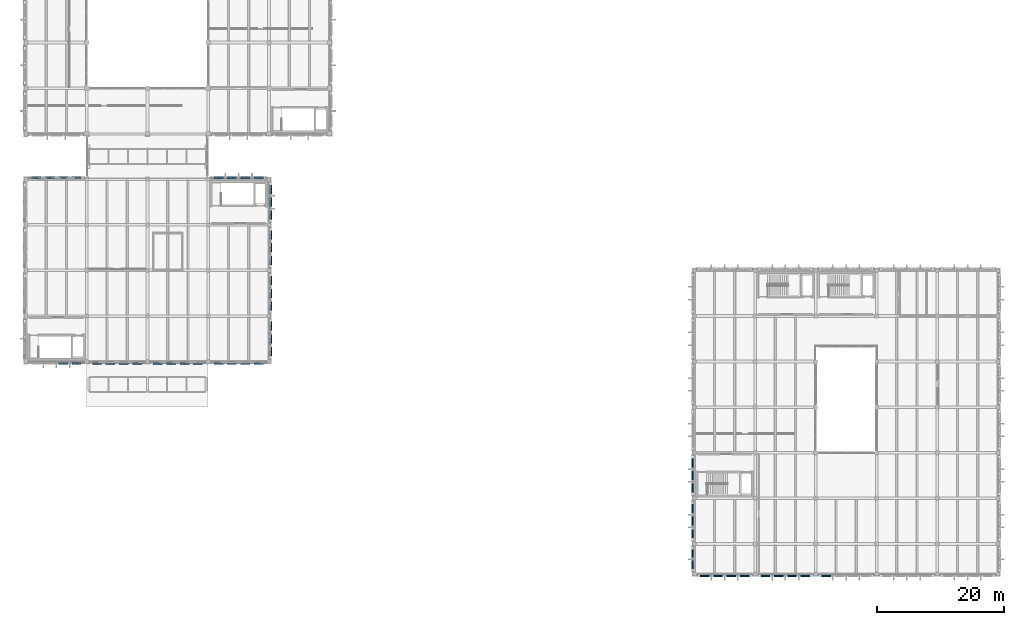
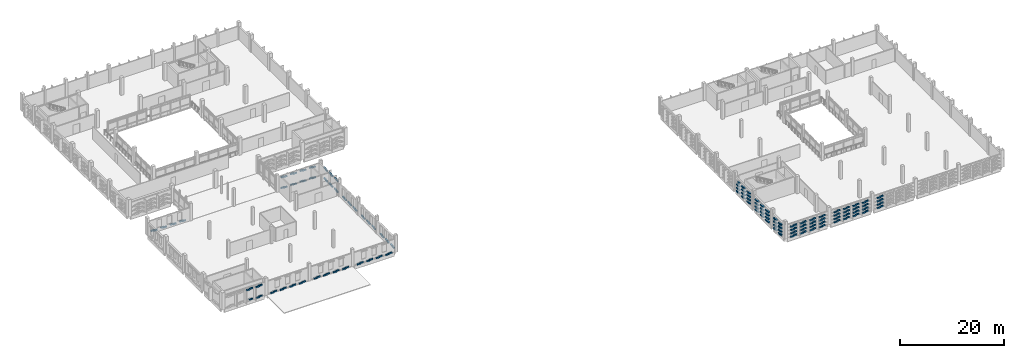
# One storey, part 48 of 72: 220 plates.
"""IFC4 building model written with IfcOpenShell, lengths in metres."""

from ifc_helpers import new_model, si_unit, direction, frame, origin, origin_2d, place, context, subcontext, project, spatial, rectangle, extrude, material, layer, layer_set, type_object, element, save


model = new_model("IFC4")

# Units and contexts
model_context = context("Model", 3, precision=1e-05, world=origin(), true_north=direction((0.0, 1.0)))
body_context = subcontext(model_context, "Body", "Model", "MODEL_VIEW")
ifc_project = project(units=[si_unit("LENGTHUNIT", "METRE"), si_unit("AREAUNIT", "SQUARE_METRE"), si_unit("VOLUMEUNIT", "CUBIC_METRE"), si_unit("PLANEANGLEUNIT", "RADIAN"), si_unit("MASSUNIT", "GRAM", prefix="KILO")], contexts=[model_context])

# Site, building, storey
site_placement = place(None, origin())
site = spatial("IfcSite", under=ifc_project, at=site_placement, CompositionType="ELEMENT")
building_placement = place(site_placement, origin())
building = spatial("IfcBuilding", under=site, at=building_placement, Name="Asteropetra Specialist Clinic", CompositionType="ELEMENT")
storey_placement = place(building_placement, frame((0.0, 0.0, 12.580078125)))
storey = spatial("IfcBuildingStorey", under=building, at=storey_placement, Name="L03", CompositionType="ELEMENT", Elevation=12.580078125)

# Plates
ifc_material = material(Name="Aluminium 6063-T6", Category="aluminium")
ifc_layer = layer(ifc_material, 0.139892578125)
ifc_layer_set = layer_set([ifc_layer], Name="Aluminium 6063-T6")
plate_type = type_object("IfcPlateType", Name="PLT-CHV-TILE", PredefinedType="SHEET", material=ifc_layer_set)
for number, where, z_axis, x_axis, name in (
    (1, (6.156494140625, 33.327392578125, 0.15576171875), (0.0, 0.0, 1.0), (1.0, 0.0, 0.0), "Chevron Ceramic Panel CPT-1574"),
    (2, (5.5771484375, 33.327392578125, 2.5498046875), (0.0, 0.0, 1.0), (1.0, 0.0, 0.0), "Chevron Ceramic Panel CPT-1575"),
    (3, (6.156494140625, 33.327392578125, 2.67578125), (0.0, 0.0, 1.0), (1.0, 0.0, 0.0), "Chevron Ceramic Panel CPT-1576"),
    (4, (7.68603515625, 33.327392578125, 0.02978515625), (0.0, 0.0, 1.0), (1.0, 0.0, 0.0), "Chevron Ceramic Panel CPT-1577"),
    (5, (8.26513671875, 33.327392578125, 0.15576171875), (0.0, 0.0, 1.0), (1.0, 0.0, 0.0), "Chevron Ceramic Panel CPT-1578"),
    (6, (7.68603515625, 33.327392578125, 2.5498046875), (0.0, 0.0, 1.0), (1.0, 0.0, 0.0), "Chevron Ceramic Panel CPT-1579"),
    (7, (8.26513671875, 33.327392578125, 2.67578125), (0.0, 0.0, 1.0), (1.0, 0.0, 0.0), "Chevron Ceramic Panel CPT-1580"),
):
    element("IfcPlate", number, at=place(storey_placement, frame(where, z_axis=z_axis, x_axis=x_axis)), inside=storey, type_object=plate_type, Name=name, PredefinedType="SHEET", context=body_context, shape_type="SweptSolid", body=[
        extrude(rectangle(XDim=0.827880859375, YDim=0.280029296875, at=origin_2d()), origin(), (0.0, 0.0, 1.0), 0.300048828125),
    ])
for number, where, z_axis, x_axis, name in (
    (8, (8.26513671875, 62.672607421875, 0.02978515625), (0.0, 0.0, 1.0), (1.0, 0.0, 0.0), "Chevron Ceramic Panel CPT-1581"),
    (9, (7.68603515625, 62.672607421875, 0.15576171875), (0.0, 0.0, 1.0), (1.0, 0.0, 0.0), "Chevron Ceramic Panel CPT-1582"),
):
    element("IfcPlate", number, at=place(storey_placement, frame(where, z_axis=z_axis, x_axis=x_axis)), inside=storey, type_object=plate_type, Name=name, PredefinedType="SHEET", context=body_context, shape_type="SweptSolid", body=[
        extrude(rectangle(XDim=0.826904296875, YDim=0.280029296875, at=origin_2d()), origin(), (0.0, 0.0, 1.0), 0.300048828125),
    ])
for number, where, z_axis, x_axis, name in (
    (10, (6.156494140625, 62.672607421875, 0.02978515625), (0.0, 0.0, 1.0), (1.0, 0.0, 0.0), "Chevron Ceramic Panel CPT-1583"),
    (11, (5.577392578125, 62.672607421875, 0.15576171875), (0.0, 0.0, 1.0), (1.0, 0.0, 0.0), "Chevron Ceramic Panel CPT-1584"),
    (12, (4.0478515625, 62.672607421875, 0.02978515625), (0.0, 0.0, 1.0), (1.0, 0.0, 0.0), "Chevron Ceramic Panel CPT-1585"),
    (13, (3.468505859375, 62.672607421875, 0.15576171875), (0.0, 0.0, 1.0), (1.0, 0.0, 0.0), "Chevron Ceramic Panel CPT-1586"),
    (14, (1.93896484375, 62.672607421875, 0.02978515625), (0.0, 0.0, 1.0), (1.0, 0.0, 0.0), "Chevron Ceramic Panel CPT-1587"),
    (15, (1.35986328125, 62.672607421875, 0.15576171875), (0.0, 0.0, 1.0), (1.0, 0.0, 0.0), "Chevron Ceramic Panel CPT-1588"),
):
    element("IfcPlate", number, at=place(storey_placement, frame(where, z_axis=z_axis, x_axis=x_axis)), inside=storey, type_object=plate_type, Name=name, PredefinedType="SHEET", context=body_context, shape_type="SweptSolid", body=[
        extrude(rectangle(XDim=0.827880859375, YDim=0.280029296875, at=origin_2d()), origin(), (0.0, 0.0, 1.0), 0.300048828125),
    ])
for number, where, z_axis, x_axis, name in (
    (16, (10.93701171875, 33.327392578125, 0.02978515625), (0.0, 0.0, 1.0), (1.0, 0.0, 0.0), "Chevron Ceramic Panel CPT-1589"),
    (17, (11.51806640625, 33.327392578125, 0.15673828125), (0.0, 0.0, 1.0), (1.0, 0.0, 0.0), "Chevron Ceramic Panel CPT-1590"),
    (18, (13.052001953125, 33.327392578125, 0.02978515625), (0.0, 0.0, 1.0), (1.0, 0.0, 0.0), "Chevron Ceramic Panel CPT-1591"),
    (19, (13.633056640625, 33.327392578125, 0.15673828125), (0.0, 0.0, 1.0), (1.0, 0.0, 0.0), "Chevron Ceramic Panel CPT-1592"),
    (20, (15.1669921875, 33.327392578125, 0.02978515625), (0.0, 0.0, 1.0), (1.0, 0.0, 0.0), "Chevron Ceramic Panel CPT-1593"),
    (21, (15.748046875, 33.327392578125, 0.15673828125), (0.0, 0.0, 1.0), (1.0, 0.0, 0.0), "Chevron Ceramic Panel CPT-1594"),
    (22, (17.281982421875, 33.327392578125, 0.02978515625), (0.0, 0.0, 1.0), (1.0, 0.0, 0.0), "Chevron Ceramic Panel CPT-1595"),
    (23, (17.863037109375, 33.327392578125, 0.15673828125), (0.0, 0.0, 1.0), (1.0, 0.0, 0.0), "Chevron Ceramic Panel CPT-1596"),
    (24, (20.537109375, 33.327392578125, 0.02978515625), (0.0, 0.0, 1.0), (1.0, 0.0, 0.0), "Chevron Ceramic Panel CPT-1597"),
    (25, (21.117919921875, 33.327392578125, 0.15673828125), (0.0, 0.0, 1.0), (1.0, 0.0, 0.0), "Chevron Ceramic Panel CPT-1598"),
    (26, (22.652099609375, 33.327392578125, 0.02978515625), (0.0, 0.0, 1.0), (1.0, 0.0, 0.0), "Chevron Ceramic Panel CPT-1599"),
    (27, (23.23291015625, 33.327392578125, 0.15673828125), (0.0, 0.0, 1.0), (1.0, 0.0, 0.0), "Chevron Ceramic Panel CPT-1600"),
    (28, (24.76708984375, 33.327392578125, 0.02978515625), (0.0, 0.0, 1.0), (1.0, 0.0, 0.0), "Chevron Ceramic Panel CPT-1601"),
    (29, (25.347900390625, 33.327392578125, 0.15673828125), (0.0, 0.0, 1.0), (1.0, 0.0, 0.0), "Chevron Ceramic Panel CPT-1602"),
    (30, (26.882080078125, 33.327392578125, 0.02978515625), (0.0, 0.0, 1.0), (1.0, 0.0, 0.0), "Chevron Ceramic Panel CPT-1603"),
    (31, (27.462890625, 33.327392578125, 0.15673828125), (0.0, 0.0, 1.0), (1.0, 0.0, 0.0), "Chevron Ceramic Panel CPT-1604"),
    (32, (30.136962890625, 33.327392578125, 0.02978515625), (0.0, 0.0, 1.0), (1.0, 0.0, 0.0), "Chevron Ceramic Panel CPT-1605"),
    (33, (30.718017578125, 33.327392578125, 0.15673828125), (0.0, 0.0, 1.0), (1.0, 0.0, 0.0), "Chevron Ceramic Panel CPT-1606"),
    (34, (32.251953125, 33.327392578125, 0.02978515625), (0.0, 0.0, 1.0), (1.0, 0.0, 0.0), "Chevron Ceramic Panel CPT-1607"),
    (35, (32.8330078125, 33.327392578125, 0.15673828125), (0.0, 0.0, 1.0), (1.0, 0.0, 0.0), "Chevron Ceramic Panel CPT-1608"),
    (36, (34.366943359375, 33.327392578125, 0.02978515625), (0.0, 0.0, 1.0), (1.0, 0.0, 0.0), "Chevron Ceramic Panel CPT-1609"),
    (37, (34.947998046875, 33.327392578125, 0.15673828125), (0.0, 0.0, 1.0), (1.0, 0.0, 0.0), "Chevron Ceramic Panel CPT-1610"),
    (38, (36.48193359375, 33.327392578125, 0.02978515625), (0.0, 0.0, 1.0), (1.0, 0.0, 0.0), "Chevron Ceramic Panel CPT-1611"),
    (39, (37.06298828125, 33.327392578125, 0.15673828125), (0.0, 0.0, 1.0), (1.0, 0.0, 0.0), "Chevron Ceramic Panel CPT-1612"),
    (40, (37.06298828125, 62.672607421875, 0.02978515625), (0.0, 0.0, 1.0), (1.0, 0.0, 0.0), "Chevron Ceramic Panel CPT-1613"),
    (41, (36.48193359375, 62.672607421875, 0.15673828125), (0.0, 0.0, 1.0), (1.0, 0.0, 0.0), "Chevron Ceramic Panel CPT-1614"),
    (42, (37.06298828125, 62.672607421875, 2.5498046875), (0.0, 0.0, 1.0), (1.0, 0.0, 0.0), "Chevron Ceramic Panel CPT-1615"),
    (43, (36.48193359375, 62.672607421875, 2.6767578125), (0.0, 0.0, 1.0), (1.0, 0.0, 0.0), "Chevron Ceramic Panel CPT-1616"),
    (44, (34.947998046875, 62.672607421875, 0.02978515625), (0.0, 0.0, 1.0), (1.0, 0.0, 0.0), "Chevron Ceramic Panel CPT-1617"),
    (45, (34.366943359375, 62.672607421875, 0.15673828125), (0.0, 0.0, 1.0), (1.0, 0.0, 0.0), "Chevron Ceramic Panel CPT-1618"),
    (46, (34.947998046875, 62.672607421875, 2.5498046875), (0.0, 0.0, 1.0), (1.0, 0.0, 0.0), "Chevron Ceramic Panel CPT-1619"),
    (47, (34.366943359375, 62.672607421875, 2.6767578125), (0.0, 0.0, 1.0), (1.0, 0.0, 0.0), "Chevron Ceramic Panel CPT-1620"),
    (48, (32.8330078125, 62.672607421875, 0.02978515625), (0.0, 0.0, 1.0), (1.0, 0.0, 0.0), "Chevron Ceramic Panel CPT-1621"),
    (49, (32.251953125, 62.672607421875, 0.15673828125), (0.0, 0.0, 1.0), (1.0, 0.0, 0.0), "Chevron Ceramic Panel CPT-1622"),
    (50, (32.8330078125, 62.672607421875, 2.5498046875), (0.0, 0.0, 1.0), (1.0, 0.0, 0.0), "Chevron Ceramic Panel CPT-1623"),
    (51, (32.251953125, 62.672607421875, 2.6767578125), (0.0, 0.0, 1.0), (1.0, 0.0, 0.0), "Chevron Ceramic Panel CPT-1624"),
    (52, (30.718017578125, 62.672607421875, 0.02978515625), (0.0, 0.0, 1.0), (1.0, 0.0, 0.0), "Chevron Ceramic Panel CPT-1625"),
    (53, (30.136962890625, 62.672607421875, 0.15673828125), (0.0, 0.0, 1.0), (1.0, 0.0, 0.0), "Chevron Ceramic Panel CPT-1626"),
    (54, (30.718017578125, 62.672607421875, 2.5498046875), (0.0, 0.0, 1.0), (1.0, 0.0, 0.0), "Chevron Ceramic Panel CPT-1627"),
    (55, (30.136962890625, 62.672607421875, 2.6767578125), (0.0, 0.0, 1.0), (1.0, 0.0, 0.0), "Chevron Ceramic Panel CPT-1628"),
):
    element("IfcPlate", number, at=place(storey_placement, frame(where, z_axis=z_axis, x_axis=x_axis)), inside=storey, type_object=plate_type, Name=name, PredefinedType="SHEET", context=body_context, shape_type="SweptSolid", body=[
        extrude(rectangle(XDim=0.830078125, YDim=0.280029296875, at=origin_2d()), origin(), (0.0, 0.0, 1.0), 0.300048828125),
    ])
for number, where, z_axis, x_axis, name in (
    (56, (38.672607421875, 34.90283203125, 0.025390625), (0.0, 0.0, 1.0), (1.0, 0.0, 0.0), "Chevron Ceramic Panel CPT-1637"),
    (57, (38.672607421875, 35.457275390625, 0.146484375), (0.0, 0.0, 1.0), (1.0, 0.0, 0.0), "Chevron Ceramic Panel CPT-1638"),
    (58, (38.672607421875, 36.9228515625, 0.025390625), (0.0, 0.0, 1.0), (1.0, 0.0, 0.0), "Chevron Ceramic Panel CPT-1639"),
    (59, (38.672607421875, 37.477294921875, 0.146484375), (0.0, 0.0, 1.0), (1.0, 0.0, 0.0), "Chevron Ceramic Panel CPT-1640"),
    (60, (38.672607421875, 38.94287109375, 0.025390625), (0.0, 0.0, 1.0), (1.0, 0.0, 0.0), "Chevron Ceramic Panel CPT-1641"),
    (61, (38.672607421875, 39.497314453125, 0.146484375), (0.0, 0.0, 1.0), (1.0, 0.0, 0.0), "Chevron Ceramic Panel CPT-1642"),
    (62, (38.672607421875, 42.102783203125, 0.025390625), (0.0, 0.0, 1.0), (1.0, 0.0, 0.0), "Chevron Ceramic Panel CPT-1647"),
    (63, (38.672607421875, 42.6572265625, 0.146484375), (0.0, 0.0, 1.0), (1.0, 0.0, 0.0), "Chevron Ceramic Panel CPT-1648"),
    (64, (38.672607421875, 44.122802734375, 0.025390625), (0.0, 0.0, 1.0), (1.0, 0.0, 0.0), "Chevron Ceramic Panel CPT-1649"),
    (65, (38.672607421875, 44.67724609375, 0.146484375), (0.0, 0.0, 1.0), (1.0, 0.0, 0.0), "Chevron Ceramic Panel CPT-1650"),
    (66, (38.672607421875, 46.142822265625, 0.025390625), (0.0, 0.0, 1.0), (1.0, 0.0, 0.0), "Chevron Ceramic Panel CPT-1651"),
    (67, (38.672607421875, 46.697265625, 0.146484375), (0.0, 0.0, 1.0), (1.0, 0.0, 0.0), "Chevron Ceramic Panel CPT-1652"),
    (68, (38.672607421875, 49.302734375, 0.025390625), (0.0, 0.0, 1.0), (1.0, 0.0, 0.0), "Chevron Ceramic Panel CPT-1657"),
    (69, (38.672607421875, 49.857177734375, 0.146484375), (0.0, 0.0, 1.0), (1.0, 0.0, 0.0), "Chevron Ceramic Panel CPT-1658"),
    (70, (38.672607421875, 51.32275390625, 0.025390625), (0.0, 0.0, 1.0), (1.0, 0.0, 0.0), "Chevron Ceramic Panel CPT-1659"),
    (71, (38.672607421875, 51.877197265625, 0.146484375), (0.0, 0.0, 1.0), (1.0, 0.0, 0.0), "Chevron Ceramic Panel CPT-1660"),
    (72, (38.672607421875, 53.3427734375, 0.025390625), (0.0, 0.0, 1.0), (1.0, 0.0, 0.0), "Chevron Ceramic Panel CPT-1661"),
    (73, (38.672607421875, 53.897216796875, 0.146484375), (0.0, 0.0, 1.0), (1.0, 0.0, 0.0), "Chevron Ceramic Panel CPT-1662"),
    (74, (38.672607421875, 56.502685546875, 0.025390625), (0.0, 0.0, 1.0), (1.0, 0.0, 0.0), "Chevron Ceramic Panel CPT-1667"),
    (75, (38.672607421875, 57.05712890625, 0.146484375), (0.0, 0.0, 1.0), (1.0, 0.0, 0.0), "Chevron Ceramic Panel CPT-1668"),
    (76, (38.672607421875, 56.502685546875, 2.54541015625), (0.0, 0.0, 1.0), (1.0, 0.0, 0.0), "Chevron Ceramic Panel CPT-1669"),
    (77, (38.672607421875, 57.05712890625, 2.66650390625), (0.0, 0.0, 1.0), (1.0, 0.0, 0.0), "Chevron Ceramic Panel CPT-1670"),
    (78, (38.672607421875, 58.522705078125, 0.025390625), (0.0, 0.0, 1.0), (1.0, 0.0, 0.0), "Chevron Ceramic Panel CPT-1671"),
    (79, (38.672607421875, 59.0771484375, 0.146484375), (0.0, 0.0, 1.0), (1.0, 0.0, 0.0), "Chevron Ceramic Panel CPT-1672"),
    (80, (38.672607421875, 58.522705078125, 2.54541015625), (0.0, 0.0, 1.0), (1.0, 0.0, 0.0), "Chevron Ceramic Panel CPT-1673"),
    (81, (38.672607421875, 59.0771484375, 2.66650390625), (0.0, 0.0, 1.0), (1.0, 0.0, 0.0), "Chevron Ceramic Panel CPT-1674"),
    (82, (38.672607421875, 60.542724609375, 0.025390625), (0.0, 0.0, 1.0), (1.0, 0.0, 0.0), "Chevron Ceramic Panel CPT-1675"),
    (83, (38.672607421875, 61.09716796875, 0.146484375), (0.0, 0.0, 1.0), (1.0, 0.0, 0.0), "Chevron Ceramic Panel CPT-1676"),
    (84, (38.672607421875, 60.542724609375, 2.54541015625), (0.0, 0.0, 1.0), (1.0, 0.0, 0.0), "Chevron Ceramic Panel CPT-1677"),
    (85, (38.672607421875, 61.09716796875, 2.66650390625), (0.0, 0.0, 1.0), (1.0, 0.0, 0.0), "Chevron Ceramic Panel CPT-1678"),
):
    element("IfcPlate", number, at=place(storey_placement, frame(where, z_axis=z_axis, x_axis=x_axis)), inside=storey, type_object=plate_type, Name=name, PredefinedType="SHEET", context=body_context, shape_type="SweptSolid", body=[
        extrude(rectangle(XDim=0.280029296875, YDim=0.7919921875, at=origin_2d()), origin(), (0.0, 0.0, 1.0), 0.300048828125),
    ])
for number, where, z_axis, x_axis, name in (
    (86, (106.95751953125, -0.277587890625, -0.00048828125), (0.0, 0.0, 1.0), (1.0, 0.0, 0.0), "Chevron Ceramic Panel CPT-1679"),
    (87, (107.534912109375, -0.277587890625, 0.12548828125), (0.0, 0.0, 1.0), (1.0, 0.0, 0.0), "Chevron Ceramic Panel CPT-1680"),
    (88, (106.95751953125, -0.277587890625, 0.76953125), (0.0, 0.0, 1.0), (1.0, 0.0, 0.0), "Chevron Ceramic Panel CPT-1681"),
    (89, (107.534912109375, -0.277587890625, 0.8955078125), (0.0, 0.0, 1.0), (1.0, 0.0, 0.0), "Chevron Ceramic Panel CPT-1682"),
    (90, (106.95751953125, -0.277587890625, 1.5693359375), (0.0, 0.0, 1.0), (1.0, 0.0, 0.0), "Chevron Ceramic Panel CPT-1683"),
    (91, (107.534912109375, -0.277587890625, 1.6953125), (0.0, 0.0, 1.0), (1.0, 0.0, 0.0), "Chevron Ceramic Panel CPT-1684"),
    (92, (106.95751953125, -0.277587890625, 2.349609375), (0.0, 0.0, 1.0), (1.0, 0.0, 0.0), "Chevron Ceramic Panel CPT-1685"),
    (93, (107.534912109375, -0.277587890625, 2.47509765625), (0.0, 0.0, 1.0), (1.0, 0.0, 0.0), "Chevron Ceramic Panel CPT-1686"),
    (94, (109.06005859375, -0.277587890625, -0.00048828125), (0.0, 0.0, 1.0), (1.0, 0.0, 0.0), "Chevron Ceramic Panel CPT-1687"),
    (95, (109.637451171875, -0.277587890625, 0.12548828125), (0.0, 0.0, 1.0), (1.0, 0.0, 0.0), "Chevron Ceramic Panel CPT-1688"),
    (96, (109.06005859375, -0.277587890625, 0.76953125), (0.0, 0.0, 1.0), (1.0, 0.0, 0.0), "Chevron Ceramic Panel CPT-1689"),
    (97, (109.637451171875, -0.277587890625, 0.8955078125), (0.0, 0.0, 1.0), (1.0, 0.0, 0.0), "Chevron Ceramic Panel CPT-1690"),
    (98, (109.06005859375, -0.277587890625, 1.5693359375), (0.0, 0.0, 1.0), (1.0, 0.0, 0.0), "Chevron Ceramic Panel CPT-1691"),
    (99, (109.637451171875, -0.277587890625, 1.6953125), (0.0, 0.0, 1.0), (1.0, 0.0, 0.0), "Chevron Ceramic Panel CPT-1692"),
    (100, (109.06005859375, -0.277587890625, 2.349609375), (0.0, 0.0, 1.0), (1.0, 0.0, 0.0), "Chevron Ceramic Panel CPT-1693"),
    (101, (109.637451171875, -0.277587890625, 2.47509765625), (0.0, 0.0, 1.0), (1.0, 0.0, 0.0), "Chevron Ceramic Panel CPT-1694"),
    (102, (111.16259765625, -0.277587890625, -0.00048828125), (0.0, 0.0, 1.0), (1.0, 0.0, 0.0), "Chevron Ceramic Panel CPT-1695"),
    (103, (111.739990234375, -0.277587890625, 0.12548828125), (0.0, 0.0, 1.0), (1.0, 0.0, 0.0), "Chevron Ceramic Panel CPT-1696"),
    (104, (111.16259765625, -0.277587890625, 0.76953125), (0.0, 0.0, 1.0), (1.0, 0.0, 0.0), "Chevron Ceramic Panel CPT-1697"),
    (105, (111.739990234375, -0.277587890625, 0.8955078125), (0.0, 0.0, 1.0), (1.0, 0.0, 0.0), "Chevron Ceramic Panel CPT-1698"),
    (106, (111.16259765625, -0.277587890625, 1.5693359375), (0.0, 0.0, 1.0), (1.0, 0.0, 0.0), "Chevron Ceramic Panel CPT-1699"),
    (107, (111.739990234375, -0.277587890625, 1.6953125), (0.0, 0.0, 1.0), (1.0, 0.0, 0.0), "Chevron Ceramic Panel CPT-1700"),
    (108, (111.16259765625, -0.277587890625, 2.349609375), (0.0, 0.0, 1.0), (1.0, 0.0, 0.0), "Chevron Ceramic Panel CPT-1701"),
    (109, (111.739990234375, -0.277587890625, 2.47509765625), (0.0, 0.0, 1.0), (1.0, 0.0, 0.0), "Chevron Ceramic Panel CPT-1702"),
    (110, (113.264892578125, -0.277587890625, -0.00048828125), (0.0, 0.0, 1.0), (1.0, 0.0, 0.0), "Chevron Ceramic Panel CPT-1703"),
    (111, (113.842529296875, -0.277587890625, 0.12548828125), (0.0, 0.0, 1.0), (1.0, 0.0, 0.0), "Chevron Ceramic Panel CPT-1704"),
    (112, (113.264892578125, -0.277587890625, 0.76953125), (0.0, 0.0, 1.0), (1.0, 0.0, 0.0), "Chevron Ceramic Panel CPT-1705"),
    (113, (113.842529296875, -0.277587890625, 0.8955078125), (0.0, 0.0, 1.0), (1.0, 0.0, 0.0), "Chevron Ceramic Panel CPT-1706"),
    (114, (113.264892578125, -0.277587890625, 1.5693359375), (0.0, 0.0, 1.0), (1.0, 0.0, 0.0), "Chevron Ceramic Panel CPT-1707"),
    (115, (113.842529296875, -0.277587890625, 1.6953125), (0.0, 0.0, 1.0), (1.0, 0.0, 0.0), "Chevron Ceramic Panel CPT-1708"),
    (116, (113.264892578125, -0.277587890625, 2.349609375), (0.0, 0.0, 1.0), (1.0, 0.0, 0.0), "Chevron Ceramic Panel CPT-1709"),
    (117, (113.842529296875, -0.277587890625, 2.47509765625), (0.0, 0.0, 1.0), (1.0, 0.0, 0.0), "Chevron Ceramic Panel CPT-1710"),
    (118, (116.5576171875, -0.277587890625, -0.00048828125), (0.0, 0.0, 1.0), (1.0, 0.0, 0.0), "Chevron Ceramic Panel CPT-1743"),
    (119, (117.135009765625, -0.277587890625, 0.12548828125), (0.0, 0.0, 1.0), (1.0, 0.0, 0.0), "Chevron Ceramic Panel CPT-1744"),
    (120, (116.5576171875, -0.277587890625, 0.76953125), (0.0, 0.0, 1.0), (1.0, 0.0, 0.0), "Chevron Ceramic Panel CPT-1745"),
    (121, (117.135009765625, -0.277587890625, 0.8955078125), (0.0, 0.0, 1.0), (1.0, 0.0, 0.0), "Chevron Ceramic Panel CPT-1746"),
    (122, (116.5576171875, -0.277587890625, 1.5693359375), (0.0, 0.0, 1.0), (1.0, 0.0, 0.0), "Chevron Ceramic Panel CPT-1747"),
    (123, (117.135009765625, -0.277587890625, 1.6953125), (0.0, 0.0, 1.0), (1.0, 0.0, 0.0), "Chevron Ceramic Panel CPT-1748"),
    (124, (116.5576171875, -0.277587890625, 2.349609375), (0.0, 0.0, 1.0), (1.0, 0.0, 0.0), "Chevron Ceramic Panel CPT-1749"),
    (125, (117.135009765625, -0.277587890625, 2.47509765625), (0.0, 0.0, 1.0), (1.0, 0.0, 0.0), "Chevron Ceramic Panel CPT-1750"),
    (126, (118.659912109375, -0.277587890625, -0.00048828125), (0.0, 0.0, 1.0), (1.0, 0.0, 0.0), "Chevron Ceramic Panel CPT-1751"),
    (127, (119.237548828125, -0.277587890625, 0.12548828125), (0.0, 0.0, 1.0), (1.0, 0.0, 0.0), "Chevron Ceramic Panel CPT-1752"),
    (128, (118.659912109375, -0.277587890625, 0.76953125), (0.0, 0.0, 1.0), (1.0, 0.0, 0.0), "Chevron Ceramic Panel CPT-1753"),
    (129, (119.237548828125, -0.277587890625, 0.8955078125), (0.0, 0.0, 1.0), (1.0, 0.0, 0.0), "Chevron Ceramic Panel CPT-1754"),
    (130, (118.659912109375, -0.277587890625, 1.5693359375), (0.0, 0.0, 1.0), (1.0, 0.0, 0.0), "Chevron Ceramic Panel CPT-1755"),
    (131, (119.237548828125, -0.277587890625, 1.6953125), (0.0, 0.0, 1.0), (1.0, 0.0, 0.0), "Chevron Ceramic Panel CPT-1756"),
    (132, (118.659912109375, -0.277587890625, 2.349609375), (0.0, 0.0, 1.0), (1.0, 0.0, 0.0), "Chevron Ceramic Panel CPT-1757"),
    (133, (119.237548828125, -0.277587890625, 2.47509765625), (0.0, 0.0, 1.0), (1.0, 0.0, 0.0), "Chevron Ceramic Panel CPT-1758"),
    (134, (120.762451171875, -0.277587890625, -0.00048828125), (0.0, 0.0, 1.0), (1.0, 0.0, 0.0), "Chevron Ceramic Panel CPT-1759"),
    (135, (121.340087890625, -0.277587890625, 0.12548828125), (0.0, 0.0, 1.0), (1.0, 0.0, 0.0), "Chevron Ceramic Panel CPT-1760"),
    (136, (120.762451171875, -0.277587890625, 0.76953125), (0.0, 0.0, 1.0), (1.0, 0.0, 0.0), "Chevron Ceramic Panel CPT-1761"),
    (137, (121.340087890625, -0.277587890625, 0.8955078125), (0.0, 0.0, 1.0), (1.0, 0.0, 0.0), "Chevron Ceramic Panel CPT-1762"),
    (138, (120.762451171875, -0.277587890625, 1.5693359375), (0.0, 0.0, 1.0), (1.0, 0.0, 0.0), "Chevron Ceramic Panel CPT-1763"),
    (139, (121.340087890625, -0.277587890625, 1.6953125), (0.0, 0.0, 1.0), (1.0, 0.0, 0.0), "Chevron Ceramic Panel CPT-1764"),
    (140, (120.762451171875, -0.277587890625, 2.349609375), (0.0, 0.0, 1.0), (1.0, 0.0, 0.0), "Chevron Ceramic Panel CPT-1765"),
    (141, (121.340087890625, -0.277587890625, 2.47509765625), (0.0, 0.0, 1.0), (1.0, 0.0, 0.0), "Chevron Ceramic Panel CPT-1766"),
    (142, (122.864990234375, -0.277587890625, -0.00048828125), (0.0, 0.0, 1.0), (1.0, 0.0, 0.0), "Chevron Ceramic Panel CPT-1767"),
    (143, (123.4423828125, -0.277587890625, 0.12548828125), (0.0, 0.0, 1.0), (1.0, 0.0, 0.0), "Chevron Ceramic Panel CPT-1768"),
    (144, (122.864990234375, -0.277587890625, 0.76953125), (0.0, 0.0, 1.0), (1.0, 0.0, 0.0), "Chevron Ceramic Panel CPT-1769"),
    (145, (123.4423828125, -0.277587890625, 0.8955078125), (0.0, 0.0, 1.0), (1.0, 0.0, 0.0), "Chevron Ceramic Panel CPT-1770"),
    (146, (122.864990234375, -0.277587890625, 1.5693359375), (0.0, 0.0, 1.0), (1.0, 0.0, 0.0), "Chevron Ceramic Panel CPT-1771"),
    (147, (123.4423828125, -0.277587890625, 1.6953125), (0.0, 0.0, 1.0), (1.0, 0.0, 0.0), "Chevron Ceramic Panel CPT-1772"),
    (148, (122.864990234375, -0.277587890625, 2.349609375), (0.0, 0.0, 1.0), (1.0, 0.0, 0.0), "Chevron Ceramic Panel CPT-1773"),
    (149, (123.4423828125, -0.277587890625, 2.47509765625), (0.0, 0.0, 1.0), (1.0, 0.0, 0.0), "Chevron Ceramic Panel CPT-1774"),
    (150, (126.157470703125, -0.277587890625, -0.00048828125), (0.0, 0.0, 1.0), (1.0, 0.0, 0.0), "Chevron Ceramic Panel CPT-1807"),
    (151, (126.735107421875, -0.277587890625, 0.12548828125), (0.0, 0.0, 1.0), (1.0, 0.0, 0.0), "Chevron Ceramic Panel CPT-1808"),
    (152, (126.157470703125, -0.277587890625, 0.76953125), (0.0, 0.0, 1.0), (1.0, 0.0, 0.0), "Chevron Ceramic Panel CPT-1809"),
    (153, (126.735107421875, -0.277587890625, 0.8955078125), (0.0, 0.0, 1.0), (1.0, 0.0, 0.0), "Chevron Ceramic Panel CPT-1810"),
    (154, (126.157470703125, -0.277587890625, 1.5693359375), (0.0, 0.0, 1.0), (1.0, 0.0, 0.0), "Chevron Ceramic Panel CPT-1811"),
    (155, (126.735107421875, -0.277587890625, 1.6953125), (0.0, 0.0, 1.0), (1.0, 0.0, 0.0), "Chevron Ceramic Panel CPT-1812"),
    (156, (126.157470703125, -0.277587890625, 2.349609375), (0.0, 0.0, 1.0), (1.0, 0.0, 0.0), "Chevron Ceramic Panel CPT-1813"),
    (157, (126.735107421875, -0.277587890625, 2.47509765625), (0.0, 0.0, 1.0), (1.0, 0.0, 0.0), "Chevron Ceramic Panel CPT-1814"),
):
    element("IfcPlate", number, at=place(storey_placement, frame(where, z_axis=z_axis, x_axis=x_axis)), inside=storey, type_object=plate_type, Name=name, PredefinedType="SHEET", context=body_context, shape_type="SweptSolid", body=[
        extrude(rectangle(XDim=0.824951171875, YDim=0.280029296875, at=origin_2d()), origin(), (0.0, 0.0, 1.0), 0.300048828125),
    ])
for number, where, z_axis, x_axis, name in (
    (158, (105.322509765625, 3.549560546875, -0.00732421875), (0.0, 0.0, 1.0), (1.0, 0.0, 0.0), "Chevron Ceramic Panel CPT-1999"),
    (159, (105.322509765625, 3.055419921875, 0.10107421875), (0.0, 0.0, 1.0), (1.0, 0.0, 0.0), "Chevron Ceramic Panel CPT-2000"),
    (160, (105.322509765625, 3.549560546875, 0.7626953125), (0.0, 0.0, 1.0), (1.0, 0.0, 0.0), "Chevron Ceramic Panel CPT-2001"),
    (161, (105.322509765625, 3.055419921875, 0.87109375), (0.0, 0.0, 1.0), (1.0, 0.0, 0.0), "Chevron Ceramic Panel CPT-2002"),
    (162, (105.322509765625, 3.549560546875, 1.56298828125), (0.0, 0.0, 1.0), (1.0, 0.0, 0.0), "Chevron Ceramic Panel CPT-2003"),
    (163, (105.322509765625, 3.055419921875, 1.6708984375), (0.0, 0.0, 1.0), (1.0, 0.0, 0.0), "Chevron Ceramic Panel CPT-2004"),
    (164, (105.322509765625, 3.549560546875, 2.3427734375), (0.0, 0.0, 1.0), (1.0, 0.0, 0.0), "Chevron Ceramic Panel CPT-2005"),
    (165, (105.322509765625, 3.055419921875, 2.451171875), (0.0, 0.0, 1.0), (1.0, 0.0, 0.0), "Chevron Ceramic Panel CPT-2006"),
    (166, (105.322509765625, 1.74462890625, -0.00732421875), (0.0, 0.0, 1.0), (1.0, 0.0, 0.0), "Chevron Ceramic Panel CPT-2007"),
    (167, (105.322509765625, 1.25048828125, 0.10107421875), (0.0, 0.0, 1.0), (1.0, 0.0, 0.0), "Chevron Ceramic Panel CPT-2008"),
    (168, (105.322509765625, 1.74462890625, 0.7626953125), (0.0, 0.0, 1.0), (1.0, 0.0, 0.0), "Chevron Ceramic Panel CPT-2009"),
    (169, (105.322509765625, 1.25048828125, 0.87109375), (0.0, 0.0, 1.0), (1.0, 0.0, 0.0), "Chevron Ceramic Panel CPT-2010"),
    (170, (105.322509765625, 1.74462890625, 1.56298828125), (0.0, 0.0, 1.0), (1.0, 0.0, 0.0), "Chevron Ceramic Panel CPT-2011"),
    (171, (105.322509765625, 1.25048828125, 1.6708984375), (0.0, 0.0, 1.0), (1.0, 0.0, 0.0), "Chevron Ceramic Panel CPT-2012"),
    (172, (105.322509765625, 1.74462890625, 2.3427734375), (0.0, 0.0, 1.0), (1.0, 0.0, 0.0), "Chevron Ceramic Panel CPT-2013"),
    (173, (105.322509765625, 1.25048828125, 2.451171875), (0.0, 0.0, 1.0), (1.0, 0.0, 0.0), "Chevron Ceramic Panel CPT-2014"),
):
    element("IfcPlate", number, at=place(storey_placement, frame(where, z_axis=z_axis, x_axis=x_axis)), inside=storey, type_object=plate_type, Name=name, PredefinedType="SHEET", context=body_context, shape_type="SweptSolid", body=[
        extrude(rectangle(XDim=0.280029296875, YDim=0.7060546875, at=origin_2d()), origin(), (0.0, 0.0, 1.0), 0.284912109375),
    ])
for number, where, z_axis, x_axis, name in (
    (174, (105.322509765625, 10.67822265625, -0.00537109375), (0.0, 0.0, 1.0), (1.0, 0.0, 0.0), "Chevron Ceramic Panel CPT-2031"),
    (175, (105.322509765625, 10.12841796875, 0.11474609375), (0.0, 0.0, 1.0), (1.0, 0.0, 0.0), "Chevron Ceramic Panel CPT-2032"),
    (176, (105.322509765625, 10.67822265625, 0.7646484375), (0.0, 0.0, 1.0), (1.0, 0.0, 0.0), "Chevron Ceramic Panel CPT-2033"),
    (177, (105.322509765625, 10.12841796875, 0.884765625), (0.0, 0.0, 1.0), (1.0, 0.0, 0.0), "Chevron Ceramic Panel CPT-2034"),
    (178, (105.322509765625, 10.67822265625, 1.564453125), (0.0, 0.0, 1.0), (1.0, 0.0, 0.0), "Chevron Ceramic Panel CPT-2035"),
    (179, (105.322509765625, 10.12841796875, 1.6845703125), (0.0, 0.0, 1.0), (1.0, 0.0, 0.0), "Chevron Ceramic Panel CPT-2036"),
    (180, (105.322509765625, 10.67822265625, 2.3447265625), (0.0, 0.0, 1.0), (1.0, 0.0, 0.0), "Chevron Ceramic Panel CPT-2037"),
    (181, (105.322509765625, 10.12841796875, 2.46435546875), (0.0, 0.0, 1.0), (1.0, 0.0, 0.0), "Chevron Ceramic Panel CPT-2038"),
    (182, (105.322509765625, 8.6748046875, -0.00537109375), (0.0, 0.0, 1.0), (1.0, 0.0, 0.0), "Chevron Ceramic Panel CPT-2039"),
    (183, (105.322509765625, 8.125, 0.11474609375), (0.0, 0.0, 1.0), (1.0, 0.0, 0.0), "Chevron Ceramic Panel CPT-2040"),
    (184, (105.322509765625, 8.6748046875, 0.7646484375), (0.0, 0.0, 1.0), (1.0, 0.0, 0.0), "Chevron Ceramic Panel CPT-2041"),
    (185, (105.322509765625, 8.125, 0.884765625), (0.0, 0.0, 1.0), (1.0, 0.0, 0.0), "Chevron Ceramic Panel CPT-2042"),
    (186, (105.322509765625, 8.6748046875, 1.564453125), (0.0, 0.0, 1.0), (1.0, 0.0, 0.0), "Chevron Ceramic Panel CPT-2043"),
    (187, (105.322509765625, 8.125, 1.6845703125), (0.0, 0.0, 1.0), (1.0, 0.0, 0.0), "Chevron Ceramic Panel CPT-2044"),
    (188, (105.322509765625, 8.6748046875, 2.3447265625), (0.0, 0.0, 1.0), (1.0, 0.0, 0.0), "Chevron Ceramic Panel CPT-2045"),
    (189, (105.322509765625, 8.125, 2.46435546875), (0.0, 0.0, 1.0), (1.0, 0.0, 0.0), "Chevron Ceramic Panel CPT-2046"),
    (190, (105.322509765625, 6.67138671875, -0.00537109375), (0.0, 0.0, 1.0), (1.0, 0.0, 0.0), "Chevron Ceramic Panel CPT-2047"),
    (191, (105.322509765625, 6.121826171875, 0.11474609375), (0.0, 0.0, 1.0), (1.0, 0.0, 0.0), "Chevron Ceramic Panel CPT-2048"),
    (192, (105.322509765625, 6.67138671875, 0.7646484375), (0.0, 0.0, 1.0), (1.0, 0.0, 0.0), "Chevron Ceramic Panel CPT-2049"),
    (193, (105.322509765625, 6.121826171875, 0.884765625), (0.0, 0.0, 1.0), (1.0, 0.0, 0.0), "Chevron Ceramic Panel CPT-2050"),
    (194, (105.322509765625, 6.67138671875, 1.564453125), (0.0, 0.0, 1.0), (1.0, 0.0, 0.0), "Chevron Ceramic Panel CPT-2051"),
    (195, (105.322509765625, 6.121826171875, 1.6845703125), (0.0, 0.0, 1.0), (1.0, 0.0, 0.0), "Chevron Ceramic Panel CPT-2052"),
    (196, (105.322509765625, 6.67138671875, 2.3447265625), (0.0, 0.0, 1.0), (1.0, 0.0, 0.0), "Chevron Ceramic Panel CPT-2053"),
    (197, (105.322509765625, 6.121826171875, 2.46435546875), (0.0, 0.0, 1.0), (1.0, 0.0, 0.0), "Chevron Ceramic Panel CPT-2054"),
    (198, (105.322509765625, 17.878173828125, -0.00537109375), (0.0, 0.0, 1.0), (1.0, 0.0, 0.0), "Chevron Ceramic Panel CPT-2079"),
    (199, (105.322509765625, 17.32861328125, 0.11474609375), (0.0, 0.0, 1.0), (1.0, 0.0, 0.0), "Chevron Ceramic Panel CPT-2080"),
    (200, (105.322509765625, 17.878173828125, 0.7646484375), (0.0, 0.0, 1.0), (1.0, 0.0, 0.0), "Chevron Ceramic Panel CPT-2081"),
    (201, (105.322509765625, 17.32861328125, 0.884765625), (0.0, 0.0, 1.0), (1.0, 0.0, 0.0), "Chevron Ceramic Panel CPT-2082"),
    (202, (105.322509765625, 17.878173828125, 1.564453125), (0.0, 0.0, 1.0), (1.0, 0.0, 0.0), "Chevron Ceramic Panel CPT-2083"),
    (203, (105.322509765625, 17.32861328125, 1.6845703125), (0.0, 0.0, 1.0), (1.0, 0.0, 0.0), "Chevron Ceramic Panel CPT-2084"),
    (204, (105.322509765625, 17.32861328125, 2.46435546875), (0.0, 0.0, 1.0), (1.0, 0.0, 0.0), "Chevron Ceramic Panel CPT-2086"),
    (205, (105.322509765625, 15.875, -0.00537109375), (0.0, 0.0, 1.0), (1.0, 0.0, 0.0), "Chevron Ceramic Panel CPT-2087"),
    (206, (105.322509765625, 15.3251953125, 0.11474609375), (0.0, 0.0, 1.0), (1.0, 0.0, 0.0), "Chevron Ceramic Panel CPT-2088"),
    (207, (105.322509765625, 15.875, 0.7646484375), (0.0, 0.0, 1.0), (1.0, 0.0, 0.0), "Chevron Ceramic Panel CPT-2089"),
    (208, (105.322509765625, 15.3251953125, 0.884765625), (0.0, 0.0, 1.0), (1.0, 0.0, 0.0), "Chevron Ceramic Panel CPT-2090"),
    (209, (105.322509765625, 15.875, 1.564453125), (0.0, 0.0, 1.0), (1.0, 0.0, 0.0), "Chevron Ceramic Panel CPT-2091"),
    (210, (105.322509765625, 15.3251953125, 1.6845703125), (0.0, 0.0, 1.0), (1.0, 0.0, 0.0), "Chevron Ceramic Panel CPT-2092"),
    (211, (105.322509765625, 15.875, 2.3447265625), (0.0, 0.0, 1.0), (1.0, 0.0, 0.0), "Chevron Ceramic Panel CPT-2093"),
    (212, (105.322509765625, 15.3251953125, 2.46435546875), (0.0, 0.0, 1.0), (1.0, 0.0, 0.0), "Chevron Ceramic Panel CPT-2094"),
    (213, (105.322509765625, 13.87158203125, -0.00537109375), (0.0, 0.0, 1.0), (1.0, 0.0, 0.0), "Chevron Ceramic Panel CPT-2095"),
    (214, (105.322509765625, 13.32177734375, 0.11474609375), (0.0, 0.0, 1.0), (1.0, 0.0, 0.0), "Chevron Ceramic Panel CPT-2096"),
    (215, (105.322509765625, 13.87158203125, 0.7646484375), (0.0, 0.0, 1.0), (1.0, 0.0, 0.0), "Chevron Ceramic Panel CPT-2097"),
    (216, (105.322509765625, 13.32177734375, 0.884765625), (0.0, 0.0, 1.0), (1.0, 0.0, 0.0), "Chevron Ceramic Panel CPT-2098"),
    (217, (105.322509765625, 13.87158203125, 1.564453125), (0.0, 0.0, 1.0), (1.0, 0.0, 0.0), "Chevron Ceramic Panel CPT-2099"),
    (218, (105.322509765625, 13.32177734375, 1.6845703125), (0.0, 0.0, 1.0), (1.0, 0.0, 0.0), "Chevron Ceramic Panel CPT-2100"),
    (219, (105.322509765625, 13.87158203125, 2.3447265625), (0.0, 0.0, 1.0), (1.0, 0.0, 0.0), "Chevron Ceramic Panel CPT-2101"),
    (220, (105.322509765625, 13.32177734375, 2.46435546875), (0.0, 0.0, 1.0), (1.0, 0.0, 0.0), "Chevron Ceramic Panel CPT-2102"),
):
    element("IfcPlate", number, at=place(storey_placement, frame(where, z_axis=z_axis, x_axis=x_axis)), inside=storey, type_object=plate_type, Name=name, PredefinedType="SHEET", context=body_context, shape_type="SweptSolid", body=[
        extrude(rectangle(XDim=0.280029296875, YDim=0.784912109375, at=origin_2d()), origin(), (0.0, 0.0, 1.0), 0.300048828125),
    ])

save(model, "model.ifc")
